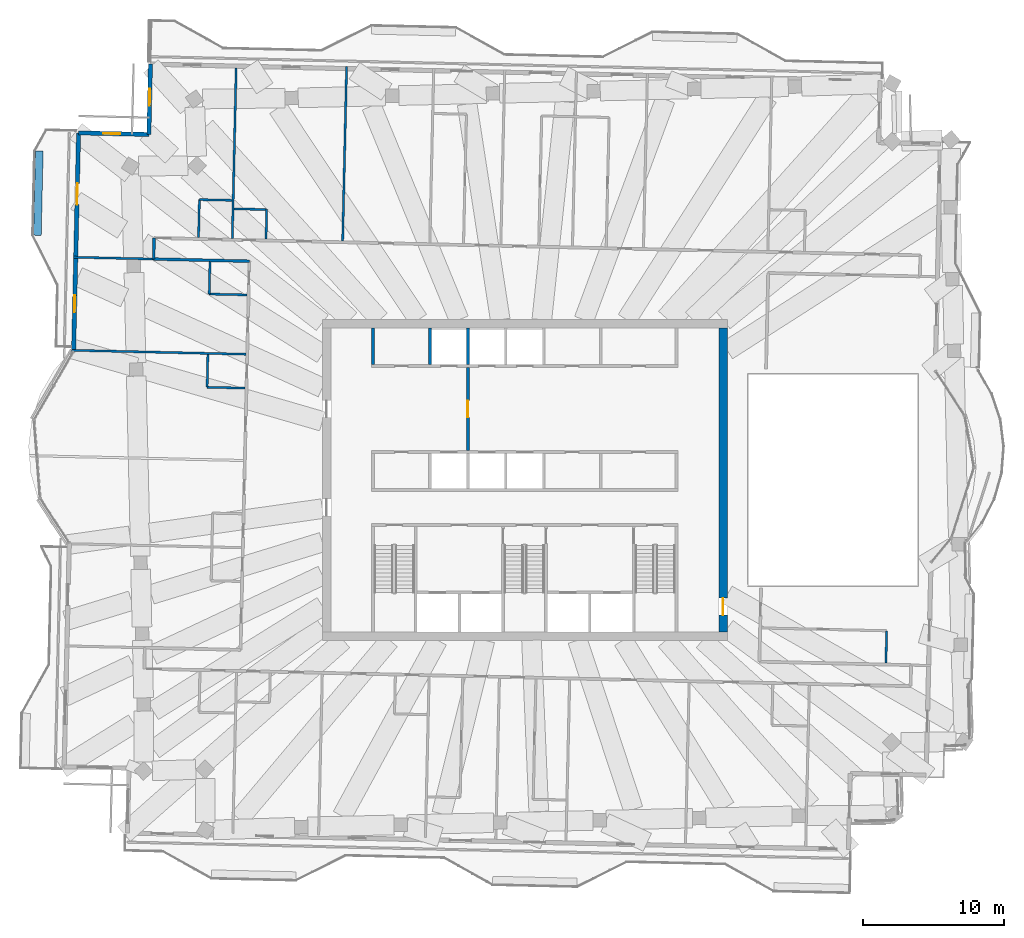
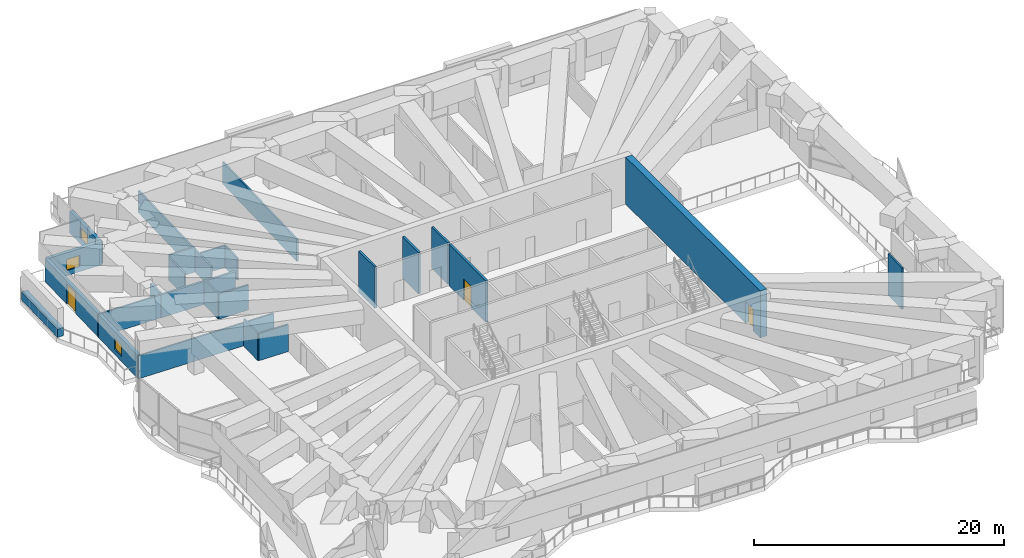
# One storey, part 12 of 20: 24 walls, 3 doors, 3 windows, 6 openings.
"""IFC4 building model written with IfcOpenShell, lengths in metres."""

from ifc_helpers import new_model, si_unit, direction, frame, frame_2d, origin, place, context, subcontext, project, spatial, rectangle, extrude, material, layer, layer_set, type_object, element, fill, save


model = new_model("IFC4")

# Units and contexts
model_context = context("Model", 3, precision=1e-05, world=origin(), true_north=direction((0.0, 1.0)))
body_context = subcontext(model_context, "Body", "Model", "MODEL_VIEW")
ifc_project = project(units=[si_unit("LENGTHUNIT", "METRE"), si_unit("AREAUNIT", "SQUARE_METRE"), si_unit("VOLUMEUNIT", "CUBIC_METRE"), si_unit("PLANEANGLEUNIT", "RADIAN"), si_unit("MASSUNIT", "GRAM", prefix="KILO")], contexts=[model_context])

# Site, building, storey
site_placement = place(None, origin())
site = spatial("IfcSite", under=ifc_project, at=site_placement, CompositionType="ELEMENT")
building_placement = place(site_placement, origin())
building = spatial("IfcBuilding", under=site, at=building_placement, Name="Mangrove Gate Tower", CompositionType="ELEMENT")
storey_placement = place(building_placement, frame((0.0, 0.0, 301.5)))
storey = spatial("IfcBuildingStorey", under=building, at=storey_placement, Name="L77", CompositionType="ELEMENT", Elevation=301.5)

# Wall, opening, door
ifc_material_1 = material(Name="Concrete C32/40", Category="concrete")
ifc_layer_1 = layer(ifc_material_1, 0.199951171875)
ifc_layer_set_1 = layer_set([ifc_layer_1], Name="Core lobby wall 200 C32/40")
wall_type_1 = type_object("IfcWallType", Name="Core lobby wall 200 C32/40", PredefinedType="STANDARD", material=ifc_layer_set_1)
wall_1_placement = place(storey_placement, frame((-4.050048828125, 2.10009765625, 0.0), z_axis=(0.0, 0.0, 1.0), x_axis=(0.0, 1.0, 0.0)))
wall_1 = element("IfcWall", 1, at=wall_1_placement, inside=storey, type_object=wall_type_1, Name="WALL-L77-CORE-33", PredefinedType="STANDARD", context=body_context, shape_type="SweptSolid", body=[
    extrude(rectangle(XDim=5.89990234375, YDim=0.199951171875, at=frame_2d((2.949951171875, 0.0))), origin(), (0.0, 0.0, 1.0), 4.050048828125),
])
opening_1_placement = place(wall_1_placement, frame((2.35009765625, 0.0, 0.0)))
opening_1 = element("IfcOpeningElement", 2, at=opening_1_placement, cuts=wall_1, Name="Opening FL12", PredefinedType="OPENING", context=body_context, shape_type="SweptSolid", body=[
    extrude(rectangle(XDim=1.199951171875, YDim=2.10009765625, at=frame_2d((0.60009765625, 1.050048828125))), frame((0.0, 0.10986328125, 0.0), z_axis=(0.0, -1.0, 0.0), x_axis=(1.0, 0.0, 0.0)), (0.0, 0.0, 1.0), 0.219970703125),
])
ifc_material_2 = material(Name="Fire-rated steel door set", Category="steel")
door_type_1 = type_object("IfcDoorType", Name="Lobby door FD60 1200x2100", OperationType="SINGLE_SWING_LEFT", PredefinedType="DOOR", material=ifc_material_2)
door_1_placement = place(opening_1_placement, origin())
door_1 = element("IfcDoor", 3, at=door_1_placement, inside=storey, type_object=door_type_1, Name="Lobby door lift lobby partition", OperationType="SINGLE_SWING_LEFT", OverallHeight=2.10009765625, OverallWidth=1.199951171875, PredefinedType="DOOR", context=body_context, shape_type="SweptSolid", body=[
    extrude(rectangle(XDim=1.199951171875, YDim=2.10009765625, at=frame_2d((0.60009765625, 1.050048828125))), frame((0.0, 0.02490234375, 0.0), z_axis=(0.0, -1.0, 0.0), x_axis=(1.0, 0.0, 0.0)), (0.0, 0.0, 1.0), 0.050048828125),
])
fill(opening_1, door_1)

# Walls
ifc_material_3 = material(Name="Concrete C32/40", Category="concrete")
ifc_layer_2 = layer(ifc_material_3, 0.199951171875)
ifc_layer_set_2 = layer_set([ifc_layer_2], Name="Core room wall 200 C32/40")
wall_type_2 = type_object("IfcWallType", Name="Core room wall 200 C32/40", PredefinedType="STANDARD", material=ifc_layer_set_2)
wall_2_placement = place(storey_placement, frame((-10.800048828125, 8.199951171875, 0.0), z_axis=(0.0, 0.0, 1.0), x_axis=(0.0, 1.0, 0.0)))
element("IfcWall", 4, at=wall_2_placement, inside=storey, type_object=wall_type_2, Name="WALL-L77-CORE-26", PredefinedType="STANDARD", context=body_context, shape_type="SweptSolid", body=[
    extrude(rectangle(XDim=2.60009765625, YDim=0.199951171875, at=frame_2d((1.300048828125, 0.0))), origin(), (0.0, 0.0, 1.0), 4.050048828125),
])
ifc_material_4 = material(Name="Concrete C50/60", Category="concrete")
ifc_layer_3 = layer(ifc_material_4, 0.199951171875)
ifc_layer_set_3 = layer_set([ifc_layer_3], Name="Core shaft wall 200 C50/60")
wall_type_3 = type_object("IfcWallType", Name="Core shaft wall 200 C50/60", PredefinedType="SHEAR", material=ifc_layer_set_3)
for number, where, z_axis, x_axis, name in (
    (5, (-6.75, 8.199951171875, 0.0), (0.0, 0.0, 1.0), (0.0, 1.0, 0.0), "WALL-L77-CORE-27"),
    (6, (-4.050048828125, 8.199951171875, 0.0), (0.0, 0.0, 1.0), (0.0, 1.0, 0.0), "WALL-L77-CORE-28"),
):
    element("IfcWall", number, at=place(storey_placement, frame(where, z_axis=z_axis, x_axis=x_axis)), inside=storey, type_object=wall_type_3, Name=name, PredefinedType="SHEAR", context=body_context, shape_type="SweptSolid", body=[
        extrude(rectangle(XDim=2.60009765625, YDim=0.199951171875, at=frame_2d((1.300048828125, 0.0))), origin(), (0.0, 0.0, 1.0), 4.050048828125),
    ])

# Wall, opening, door
ifc_material_5 = material(Name="Concrete C50/60", Category="concrete")
ifc_layer_4 = layer(ifc_material_5, 0.60009765625)
ifc_layer_set_4 = layer_set([ifc_layer_4], Name="Core wall 600 C50/60")
wall_type_4 = type_object("IfcWallType", Name="Core wall 600 C50/60", PredefinedType="SHEAR", material=ifc_layer_set_4)
wall_3_placement = place(storey_placement, frame((14.10009765625, -10.800048828125, 0.0), z_axis=(0.0, 0.0, 1.0), x_axis=(0.0, 1.0, 0.0)))
wall_3 = element("IfcWall", 7, at=wall_3_placement, inside=storey, type_object=wall_type_4, Name="WALL-L77-CORE-4", PredefinedType="SHEAR", context=body_context, shape_type="SweptSolid", body=[
    extrude(rectangle(XDim=21.60009765625, YDim=0.60009765625, at=frame_2d((10.800048828125, 0.0))), origin(), (0.0, 0.0, 1.0), 4.60009765625),
])
opening_2_placement = place(wall_3_placement, frame((1.199951171875, 0.0, 0.0)))
opening_2 = element("IfcOpeningElement", 8, at=opening_2_placement, cuts=wall_3, Name="Opening CD", PredefinedType="OPENING", context=body_context, shape_type="SweptSolid", body=[
    extrude(rectangle(XDim=1.199951171875, YDim=2.10009765625, at=frame_2d((0.60009765625, 1.050048828125))), frame((0.0, 0.31005859375, 0.0), z_axis=(0.0, -1.0, 0.0), x_axis=(1.0, 0.0, 0.0)), (0.0, 0.0, 1.0), 0.6201171875),
])
ifc_material_6 = material(Name="Fire-rated steel door set", Category="steel")
door_type_2 = type_object("IfcDoorType", Name="Core ring door FD60 1200x2100", OperationType="DOUBLE_DOOR_SINGLE_SWING", PredefinedType="DOOR", material=ifc_material_6)
door_2_placement = place(opening_2_placement, origin())
door_2 = element("IfcDoor", 9, at=door_2_placement, inside=storey, type_object=door_type_2, Name="Core ring door E1", OperationType="DOUBLE_DOOR_SINGLE_SWING", OverallHeight=2.10009765625, OverallWidth=1.199951171875, PredefinedType="DOOR", context=body_context, shape_type="SweptSolid", body=[
    extrude(rectangle(XDim=1.199951171875, YDim=2.10009765625, at=frame_2d((0.60009765625, 1.050048828125))), frame((0.0, 0.02490234375, 0.0), z_axis=(0.0, -1.0, 0.0), x_axis=(1.0, 0.0, 0.0)), (0.0, 0.0, 1.0), 0.050048828125),
])
fill(opening_2, door_2)

# Walls
ifc_material_7 = material(Name="Gypsum board on steel stud, EI 60", Category="steel")
ifc_layer_5 = layer(ifc_material_7, 0.199951171875)
ifc_layer_set_5 = layer_set([ifc_layer_5], Name="Corridor wall EI 60")
wall_type_5 = type_object("IfcWallType", Name="Corridor wall EI 60", PredefinedType="PARTITIONING", material=ifc_layer_set_5)
wall_4_placement = place(storey_placement, frame((-26.39697265625, 15.716064453125, 0.0), z_axis=(0.0, 0.0, 1.0), x_axis=(0.022617910375, 0.999744182344, 0.0)))
element("IfcWall", 10, at=wall_4_placement, inside=storey, type_object=wall_type_5, Name="WALL-L77-043", PredefinedType="PARTITIONING", context=body_context, shape_type="SweptSolid", body=[
    extrude(rectangle(XDim=1.50048828125, YDim=0.199951171875, at=frame_2d((0.750244140625, 0.0))), origin(), (0.0, 0.0, 1.0), 2.449951171875),
])
wall_5_placement = place(storey_placement, frame((-26.39599609375, 15.716064453125, 0.0), z_axis=(0.0, 0.0, 1.0), x_axis=(0.999743996894, -0.022626106023, 0.0)))
element("IfcWall", 11, at=wall_5_placement, inside=storey, type_object=wall_type_5, Name="WALL-L77-044", PredefinedType="PARTITIONING", context=body_context, shape_type="SweptSolid", body=[
    extrude(rectangle(XDim=6.80859375, YDim=0.199951171875, at=frame_2d((3.404296875, 0.0))), origin(), (0.0, 0.0, 1.0), 2.25),
])

# Wall, opening, window
ifc_material_8 = material(Name="Limestone", Category="masonry")
ifc_layer_6 = layer(ifc_material_8, 0.0400390625, Name="Limestone cladding")
ifc_material_9 = material(Name="Ventilated air gap")
ifc_layer_7 = layer(ifc_material_9, 0.0400390625, Name="Ventilated cavity")
ifc_material_10 = material(Name="Mineral wool insulation")
ifc_layer_8 = layer(ifc_material_10, 0.06005859375, Name="Insulation")
ifc_material_11 = material(Name="Breather membrane")
ifc_layer_9 = layer(ifc_material_11, 0.001953125, Name="Breather membrane")
ifc_material_12 = material(Name="Concrete C20/25 blockwork", Category="masonry")
ifc_layer_10 = layer(ifc_material_12, 0.14990234375, Name="Blockwork backing wall")
ifc_material_13 = material(Name="Gypsum plaster")
ifc_layer_11 = layer(ifc_material_13, 0.008056640625, Name="Internal plaster")
ifc_layer_set_6 = layer_set([ifc_layer_6, ifc_layer_7, ifc_layer_8, ifc_layer_9, ifc_layer_10, ifc_layer_11], Name="External wall 300 limestone cladding")
wall_type_6 = type_object("IfcWallType", Name="External wall 300 limestone cladding", PredefinedType="SOLIDWALL", material=ifc_layer_set_6)
wall_6_placement = place(storey_placement, frame((-26.623046875, 29.574951171875, 0.0), z_axis=(0.0, 0.0, 1.0), x_axis=(-0.022606059803, -0.999744450377, 0.0)))
wall_6 = element("IfcWall", 12, at=wall_6_placement, inside=storey, type_object=wall_type_6, Name="WALL-L77-W6", PredefinedType="SOLIDWALL", context=body_context, shape_type="SweptSolid", body=[
    extrude(rectangle(XDim=5.000244140625, YDim=0.300048828125, at=frame_2d((2.5, 0.0))), origin(), (0.0, 0.0, 1.0), 2.14990234375),
])
opening_3_placement = place(wall_6_placement, frame((1.75, 0.0, 0.5)))
opening_3 = element("IfcOpeningElement", 13, at=opening_3_placement, cuts=wall_6, Name="Opening W6", PredefinedType="OPENING", context=body_context, shape_type="SweptSolid", body=[
    extrude(rectangle(XDim=1.199951171875, YDim=1.10009765625, at=frame_2d((0.60009765625, 0.550048828125))), frame((0.0, 0.159912109375, 0.0), z_axis=(0.0, -1.0, 0.0), x_axis=(1.0, 0.0, 0.0)), (0.0, 0.0, 1.0), 0.320068359375),
])
ifc_material_14 = material(Name="Aluminium frame with double-glazed low-e glass", Category="aluminium")
window_type = type_object("IfcWindowType", Name="Low window 1200x1100", PartitioningType="SINGLE_PANEL", PredefinedType="WINDOW", material=ifc_material_14)
window_1_placement = place(opening_3_placement, origin())
window_1 = element("IfcWindow", 14, at=window_1_placement, inside=storey, type_object=window_type, Name="WIN-L77-W6-1", OverallHeight=1.10009765625, OverallWidth=1.199951171875, PartitioningType="SINGLE_PANEL", PredefinedType="WINDOW", context=body_context, shape_type="SweptSolid", body=[
    extrude(rectangle(XDim=1.199951171875, YDim=1.10009765625, at=frame_2d((0.60009765625, 0.550048828125))), frame((0.0, 0.030029296875, 0.0), z_axis=(0.0, -1.0, 0.0), x_axis=(1.0, 0.0, 0.0)), (0.0, 0.0, 1.0), 0.06005859375),
])
fill(opening_3, window_1)

wall_7_placement = place(storey_placement, frame((-26.736083984375, 24.575927734375, 0.0), z_axis=(0.0, 0.0, 1.0), x_axis=(-0.999740017489, 0.022801259434, 0.0)))
wall_7 = element("IfcWall", 15, at=wall_7_placement, inside=storey, type_object=wall_type_6, Name="WALL-L77-N7", PredefinedType="SOLIDWALL", context=body_context, shape_type="SweptSolid", body=[
    extrude(rectangle(XDim=5.000244140625, YDim=0.300048828125, at=frame_2d((2.5, 0.0))), origin(), (0.0, 0.0, 1.0), 2.25),
])
opening_4_placement = place(wall_7_placement, frame((2.050048828125, 0.0, 0.5)))
opening_4 = element("IfcOpeningElement", 16, at=opening_4_placement, cuts=wall_7, Name="Opening W6", PredefinedType="OPENING", context=body_context, shape_type="SweptSolid", body=[
    extrude(rectangle(XDim=1.199951171875, YDim=1.10009765625, at=frame_2d((0.60009765625, 0.550048828125))), frame((0.0, 0.159912109375, 0.0), z_axis=(0.0, -1.0, 0.0), x_axis=(1.0, 0.0, 0.0)), (0.0, 0.0, 1.0), 0.320068359375),
])
window_2_placement = place(opening_4_placement, origin())
window_2 = element("IfcWindow", 17, at=window_2_placement, inside=storey, type_object=window_type, Name="WIN-L77-N7-1", OverallHeight=1.10009765625, OverallWidth=1.199951171875, PartitioningType="SINGLE_PANEL", PredefinedType="WINDOW", context=body_context, shape_type="SweptSolid", body=[
    extrude(rectangle(XDim=1.199951171875, YDim=1.10009765625, at=frame_2d((0.60009765625, 0.550048828125))), frame((0.0, 0.030029296875, 0.0), z_axis=(0.0, -1.0, 0.0), x_axis=(1.0, 0.0, 0.0)), (0.0, 0.0, 1.0), 0.06005859375),
])
fill(opening_4, window_2)

# Wall, openings, door, window
wall_8_placement = place(storey_placement, frame((-31.735107421875, 24.68994140625, 0.0), z_axis=(0.0, 0.0, 1.0), x_axis=(-0.022653555426, -0.999743375285, 0.0)))
wall_8 = element("IfcWall", 18, at=wall_8_placement, inside=storey, type_object=wall_type_6, Name="WALL-L77-W8", PredefinedType="SOLIDWALL", context=body_context, shape_type="SweptSolid", body=[
    extrude(rectangle(XDim=15.52978515625, YDim=0.300048828125, at=frame_2d((7.764892578125, 0.0))), origin(), (0.0, 0.0, 1.0), 2.25),
])
opening_5_placement = place(wall_8_placement, frame((3.60009765625, 0.0, 0.0)))
opening_5 = element("IfcOpeningElement", 19, at=opening_5_placement, cuts=wall_8, Name="Opening BD3", PredefinedType="OPENING", context=body_context, shape_type="SweptSolid", body=[
    extrude(rectangle(XDim=1.5, YDim=2.0, at=frame_2d((0.75, 1.0))), frame((0.0, 0.159912109375, 0.0), z_axis=(0.0, -1.0, 0.0), x_axis=(1.0, 0.0, 0.0)), (0.0, 0.0, 1.0), 0.320068359375),
])
opening_6_placement = place(wall_8_placement, frame((11.56201171875, 0.0, 0.5)))
opening_6 = element("IfcOpeningElement", 20, at=opening_6_placement, cuts=wall_8, Name="Opening W6", PredefinedType="OPENING", context=body_context, shape_type="SweptSolid", body=[
    extrude(rectangle(XDim=1.199951171875, YDim=1.10009765625, at=frame_2d((0.60009765625, 0.550048828125))), frame((0.0, 0.159912109375, 0.0), z_axis=(0.0, -1.0, 0.0), x_axis=(1.0, 0.0, 0.0)), (0.0, 0.0, 1.0), 0.320068359375),
])
ifc_material_15 = material(Name="Aluminium frame with laminated clear glass", Category="aluminium")
door_type_3 = type_object("IfcDoorType", Name="Balcony sliding door 1500x2000", OperationType="SLIDING_TO_LEFT", PredefinedType="DOOR", material=ifc_material_15)
door_3_placement = place(opening_5_placement, origin())
door_3 = element("IfcDoor", 21, at=door_3_placement, inside=storey, type_object=door_type_3, Name="DOOR-L77-W8-1", OperationType="SLIDING_TO_LEFT", OverallHeight=2.0, OverallWidth=1.5, PredefinedType="DOOR", context=body_context, shape_type="SweptSolid", body=[
    extrude(rectangle(XDim=1.5, YDim=2.0, at=frame_2d((0.75, 1.0))), frame((0.0, 0.02490234375, 0.0), z_axis=(0.0, -1.0, 0.0), x_axis=(1.0, 0.0, 0.0)), (0.0, 0.0, 1.0), 0.050048828125),
])
fill(opening_5, door_3)
window_3_placement = place(opening_6_placement, origin())
window_3 = element("IfcWindow", 22, at=window_3_placement, inside=storey, type_object=window_type, Name="WIN-L77-W8-2", OverallHeight=1.10009765625, OverallWidth=1.199951171875, PartitioningType="SINGLE_PANEL", PredefinedType="WINDOW", context=body_context, shape_type="SweptSolid", body=[
    extrude(rectangle(XDim=1.199951171875, YDim=1.10009765625, at=frame_2d((0.60009765625, 0.550048828125))), frame((0.0, 0.030029296875, 0.0), z_axis=(0.0, -1.0, 0.0), x_axis=(1.0, 0.0, 0.0)), (0.0, 0.0, 1.0), 0.06005859375),
])
fill(opening_6, window_3)

# Walls
ifc_material_16 = material(Name="Gypsum board on steel stud, EI 60", Category="steel")
ifc_layer_12 = layer(ifc_material_16, 0.14990234375)
ifc_layer_set_7 = layer_set([ifc_layer_12], Name="Party wall 150 EI 60")
wall_type_7 = type_object("IfcWallType", Name="Party wall 150 EI 60", PredefinedType="PARTITIONING", material=ifc_layer_set_7)
wall_9_placement = place(storey_placement, frame((25.68408203125, -13.02294921875, 0.0), z_axis=(0.0, 0.0, 1.0), x_axis=(0.022603288534, 0.999744513037, 0.0)))
element("IfcWall", 23, at=wall_9_placement, inside=storey, type_object=wall_type_7, Name="WALL-L77-028", PredefinedType="PARTITIONING", context=body_context, shape_type="SweptSolid", body=[
    extrude(rectangle(XDim=2.300537109375, YDim=0.14990234375, at=frame_2d((1.150390625, 0.0))), origin(), (0.0, 0.0, 1.0), 4.050048828125),
])
wall_10_placement = place(storey_placement, frame((-22.593017578125, 6.597900390625, 0.0), z_axis=(0.0, 0.0, 1.0), x_axis=(0.999736155505, -0.022969966847, 0.0)))
element("IfcWall", 24, at=wall_10_placement, inside=storey, type_object=wall_type_7, Name="WALL-L77-036", PredefinedType="PARTITIONING", context=body_context, shape_type="SweptSolid", body=[
    extrude(rectangle(XDim=2.69970703125, YDim=0.14990234375, at=frame_2d((1.349853515625, 0.0))), origin(), (0.0, 0.0, 1.0), 2.64990234375),
])
wall_11_placement = place(storey_placement, frame((-22.593017578125, 6.60302734375, 0.0), z_axis=(0.0, 0.0, 1.0), x_axis=(0.02279059109, 0.999740260747, 0.0)))
element("IfcWall", 25, at=wall_11_placement, inside=storey, type_object=wall_type_7, Name="WALL-L77-037", PredefinedType="PARTITIONING", context=body_context, shape_type="SweptSolid", body=[
    extrude(rectangle(XDim=2.324462890625, YDim=0.14990234375, at=frame_2d((1.162109375, 0.0))), origin(), (0.0, 0.0, 1.0), 2.64990234375),
])
wall_12_placement = place(storey_placement, frame((-32.236083984375, 9.22705078125, 0.0), z_axis=(0.0, 0.0, 1.0), x_axis=(0.999743195783, -0.022661475803, 0.0)))
element("IfcWall", 26, at=wall_12_placement, inside=storey, type_object=wall_type_7, Name="WALL-L77-039", PredefinedType="PARTITIONING", context=body_context, shape_type="SweptSolid", body=[
    extrude(rectangle(XDim=12.400146484375, YDim=0.14990234375, at=frame_2d((6.2001953125, 0.0))), origin(), (0.0, 0.0, 1.0), 2.25),
])
wall_13_placement = place(storey_placement, frame((-22.443115234375, 13.22607421875, 0.0), z_axis=(0.0, 0.0, 1.0), x_axis=(0.999744627938, -0.022598205876, 0.0)))
element("IfcWall", 27, at=wall_13_placement, inside=storey, type_object=wall_type_7, Name="WALL-L77-040", PredefinedType="PARTITIONING", context=body_context, shape_type="SweptSolid", body=[
    extrude(rectangle(XDim=2.700927734375, YDim=0.14990234375, at=frame_2d((1.3505859375, 0.0))), origin(), (0.0, 0.0, 1.0), 2.449951171875),
])
wall_14_placement = place(storey_placement, frame((-22.443115234375, 13.22607421875, 0.0), z_axis=(0.0, 0.0, 1.0), x_axis=(0.022615284993, 0.999744241736, 0.0)))
element("IfcWall", 28, at=wall_14_placement, inside=storey, type_object=wall_type_7, Name="WALL-L77-041", PredefinedType="PARTITIONING", context=body_context, shape_type="SweptSolid", body=[
    extrude(rectangle(XDim=2.29931640625, YDim=0.14990234375, at=frame_2d((1.149658203125, 0.0))), origin(), (0.0, 0.0, 1.0), 2.449951171875),
])
wall_15_placement = place(storey_placement, frame((-32.0859375, 15.844970703125, 0.0), z_axis=(0.0, 0.0, 1.0), x_axis=(0.999743823458, -0.022633768064, 0.0)))
element("IfcWall", 29, at=wall_15_placement, inside=storey, type_object=wall_type_7, Name="WALL-L77-042", PredefinedType="PARTITIONING", context=body_context, shape_type="SweptSolid", body=[
    extrude(rectangle(XDim=5.6953125, YDim=0.14990234375, at=frame_2d((2.84765625, 0.0))), origin(), (0.0, 0.0, 1.0), 2.25),
])
wall_16_placement = place(storey_placement, frame((-23.201904296875, 17.243896484375, 0.0), z_axis=(0.0, 0.0, 1.0), x_axis=(0.022515998029, 0.999746482781, 0.0)))
element("IfcWall", 30, at=wall_16_placement, inside=storey, type_object=wall_type_7, Name="WALL-L77-049", PredefinedType="PARTITIONING", context=body_context, shape_type="SweptSolid", body=[
    extrude(rectangle(XDim=2.699951171875, YDim=0.14990234375, at=frame_2d((1.35009765625, 0.0))), origin(), (0.0, 0.0, 1.0), 2.25),
])
wall_17_placement = place(storey_placement, frame((-20.802001953125, 17.18994140625, 0.0), z_axis=(0.0, 0.0, 1.0), x_axis=(0.022637991173, 0.99974372784, 0.0)))
element("IfcWall", 31, at=wall_17_placement, inside=storey, type_object=wall_type_7, Name="WALL-L77-050", PredefinedType="PARTITIONING", context=body_context, shape_type="SweptSolid", body=[
    extrude(rectangle(XDim=12.100341796875, YDim=0.14990234375, at=frame_2d((6.05029296875, 0.0))), origin(), (0.0, 0.0, 1.0), 2.14990234375),
])
wall_18_placement = place(storey_placement, frame((-18.403076171875, 17.135009765625, 0.0), z_axis=(0.0, 0.0, 1.0), x_axis=(0.022895647347, 0.999737860308, 0.0)))
element("IfcWall", 32, at=wall_18_placement, inside=storey, type_object=wall_type_7, Name="WALL-L77-051", PredefinedType="PARTITIONING", context=body_context, shape_type="SweptSolid", body=[
    extrude(rectangle(XDim=2.1005859375, YDim=0.14990234375, at=frame_2d((1.05029296875, 0.0))), origin(), (0.0, 0.0, 1.0), 2.14990234375),
])
wall_19_placement = place(storey_placement, frame((-12.9541015625, 17.011962890625, 0.0), z_axis=(0.0, 0.0, 1.0), x_axis=(0.022663260168, 0.999743155335, 0.0)))
element("IfcWall", 33, at=wall_19_placement, inside=storey, type_object=wall_type_7, Name="WALL-L77-052", PredefinedType="PARTITIONING", context=body_context, shape_type="SweptSolid", body=[
    extrude(rectangle(XDim=12.399169921875, YDim=0.14990234375, at=frame_2d((6.19970703125, 0.0))), origin(), (0.0, 0.0, 1.0), 2.14990234375),
])
wall_20_placement = place(storey_placement, frame((-20.679931640625, 19.287109375, 0.0), z_axis=(0.0, 0.0, 1.0), x_axis=(0.999749954681, -0.022361308448, 0.0)))
element("IfcWall", 34, at=wall_20_placement, inside=storey, type_object=wall_type_7, Name="WALL-L77-062", PredefinedType="PARTITIONING", context=body_context, shape_type="SweptSolid", body=[
    extrude(rectangle(XDim=2.325439453125, YDim=0.14990234375, at=frame_2d((1.16259765625, 0.0))), origin(), (0.0, 0.0, 1.0), 2.14990234375),
])
wall_21_placement = place(storey_placement, frame((-23.14111328125, 19.943115234375, 0.0), z_axis=(0.0, 0.0, 1.0), x_axis=(0.999750007167, -0.022358961731, 0.0)))
element("IfcWall", 35, at=wall_21_placement, inside=storey, type_object=wall_type_7, Name="WALL-L77-063", PredefinedType="PARTITIONING", context=body_context, shape_type="SweptSolid", body=[
    extrude(rectangle(XDim=2.32568359375, YDim=0.14990234375, at=frame_2d((1.162841796875, 0.0))), origin(), (0.0, 0.0, 1.0), 2.449951171875),
])
ifc_material_17 = material(Name="Concrete C32/40", Category="concrete")
ifc_layer_13 = layer(ifc_material_17, 0.199951171875, Name="Planter trough wall")
ifc_material_18 = material(Name="Bituminous waterproofing membrane")
ifc_layer_14 = layer(ifc_material_18, 0.0048828125, Name="Waterproofing")
ifc_material_19 = material(Name="Drainage board and gravel")
ifc_layer_15 = layer(ifc_material_19, 0.044921875, Name="Drainage layer")
ifc_material_20 = material(Name="Planting soil")
ifc_layer_16 = layer(ifc_material_20, 0.300048828125, Name="Growing medium")
ifc_layer_set_8 = layer_set([ifc_layer_13, ifc_layer_14, ifc_layer_15, ifc_layer_16], Name="Planter wall 550 C32/40")
wall_type_8 = type_object("IfcWallType", Name="Planter wall 550 C32/40", PredefinedType="USERDEFINED", material=ifc_layer_set_8)
wall_22_placement = place(storey_placement, frame((-34.666015625, 17.405029296875, 0.0), z_axis=(0.0, 0.0, 1.0), x_axis=(0.022665943652, 0.999743094499, 0.0)))
element("IfcWall", 36, at=wall_22_placement, inside=storey, type_object=wall_type_8, Name="PLANTER L77 W0.1", ObjectType="PLANTER", PredefinedType="USERDEFINED", context=body_context, shape_type="SweptSolid", body=[
    extrude(rectangle(XDim=5.99951171875, YDim=0.550048828125, at=frame_2d((2.999755859375, 0.0))), origin(), (0.0, 0.0, 1.0), 0.800048828125),
])

save(model, "model.ifc")
